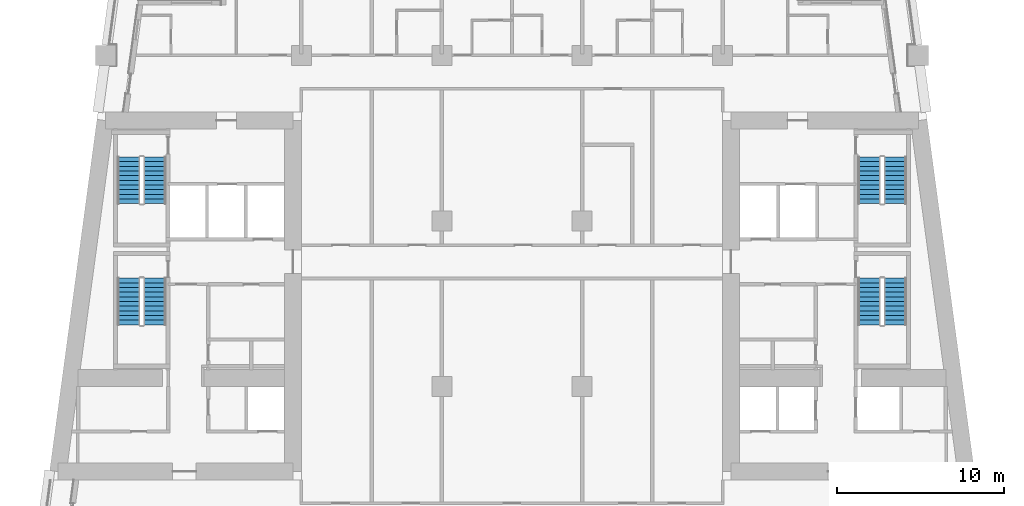
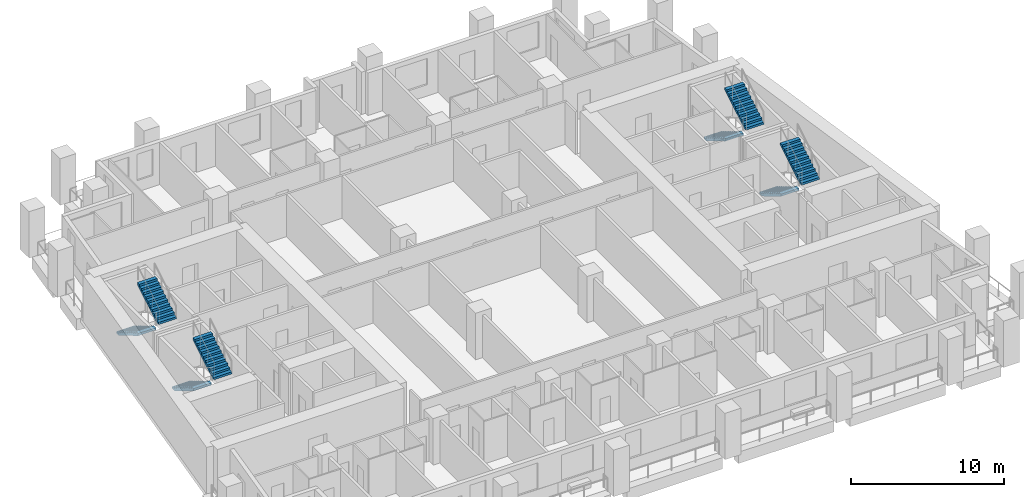
# One storey, part 9 of 14: 8 stair flights, 4 elements without a shape of their own.
"""IFC4 building model written with IfcOpenShell, lengths in metres."""

from ifc_helpers import new_model, si_unit, direction, frame, origin, place, context, subcontext, project, spatial, polyline, outline, extrude, material, type_object, element, aggregate, save


model = new_model("IFC4")

# Units and contexts
model_context = context("Model", 3, precision=1e-05, world=origin(), true_north=direction((0.0, 1.0)))
body_context = subcontext(model_context, "Body", "Model", "MODEL_VIEW")
ifc_project = project(units=[si_unit("LENGTHUNIT", "METRE"), si_unit("AREAUNIT", "SQUARE_METRE"), si_unit("VOLUMEUNIT", "CUBIC_METRE"), si_unit("PLANEANGLEUNIT", "RADIAN"), si_unit("MASSUNIT", "GRAM", prefix="KILO")], contexts=[model_context])

# Site, building, storey
site_placement = place(None, origin())
site = spatial("IfcSite", under=ifc_project, at=site_placement, CompositionType="ELEMENT")
building_placement = place(site_placement, origin())
building = spatial("IfcBuilding", under=site, at=building_placement, Name="Candeia Pilgrim Tower and Theatre", CompositionType="ELEMENT")
storey_placement = place(building_placement, frame((0.0, 0.0, 116.89990234375)))
storey = spatial("IfcBuildingStorey", under=building, at=storey_placement, Name="L27", CompositionType="ELEMENT", Elevation=116.89990234375)

# Stair, stair flights
ifc_material = material(Name="Concrete C40/50", Category="concrete")
stair_type = type_object("IfcStairType", Name="ST-TWR dog-leg escape stair", PredefinedType="HALF_TURN_STAIR", material=ifc_material)
stair_1_placement = place(storey_placement, origin())
stair_1 = element("IfcStair", 1, at=stair_1_placement, inside=storey, type_object=stair_type, Name="L27 Escape stair ST1", PredefinedType="HALF_TURN_STAIR")
stair_flight_type = type_object("IfcStairFlightType", Name="SFL-RC stair flight", PredefinedType="STRAIGHT", material=ifc_material)
stair_flight_1_placement = place(storey_placement, frame((90.47705078125, 122.47509765625, 0.0), z_axis=(0.0, 0.0, 1.0), x_axis=(0.0, -1.0, 0.0)))
stair_flight_1 = element("IfcStairFlight", 2, at=stair_flight_1_placement, type_object=stair_flight_type, Name="ST1 flight 1", NumberOfRisers=11, NumberOfTreads=10, PredefinedType="STRAIGHT", RiserHeight=0.168181818, TreadLength=0.28, context=body_context, shape_type="SweptSolid", body=[
    extrude(outline(polyline([(0.0, 0.0), (0.0, 0.168212890625), (0.280029296875, 0.168212890625), (0.280029296875, 0.33642578125), (0.56005859375, 0.33642578125), (0.56005859375, 0.504638671875), (0.840087890625, 0.504638671875), (0.840087890625, 0.672607421875), (1.1201171875, 0.672607421875), (1.1201171875, 0.8408203125), (1.39990234375, 0.8408203125), (1.39990234375, 1.009033203125), (1.679931640625, 1.009033203125), (1.679931640625, 1.17724609375), (1.9599609375, 1.17724609375), (1.9599609375, 1.345458984375), (2.239990234375, 1.345458984375), (2.239990234375, 1.513671875), (2.52001953125, 1.513671875), (2.52001953125, 1.681884765625), (2.800048828125, 1.681884765625), (2.800048828125, 1.85009765625), (2.800048828125, 1.5068359375), (0.291015625, 0.0), (0.0, 0.0)])), frame((0.0, 0.675048828125, 0.0), z_axis=(0.0, -1.0, 0.0), x_axis=(1.0, 0.0, 0.0)), (0.0, 0.0, 1.0), 1.35009765625),
])
stair_flight_2_placement = place(storey_placement, frame((92.027099609375, 119.675048828125, 1.85009765625), z_axis=(0.0, 0.0, 1.0), x_axis=(0.0, 1.0, 0.0)))
stair_flight_2 = element("IfcStairFlight", 3, at=stair_flight_2_placement, type_object=stair_flight_type, Name="ST1 flight 2", NumberOfRisers=11, NumberOfTreads=10, PredefinedType="STRAIGHT", RiserHeight=0.168181818, TreadLength=0.28, context=body_context, shape_type="SweptSolid", body=[
    extrude(outline(polyline([(0.0, 0.0), (0.0, 0.168212890625), (0.280029296875, 0.168212890625), (0.280029296875, 0.33642578125), (0.56005859375, 0.33642578125), (0.56005859375, 0.504638671875), (0.840087890625, 0.504638671875), (0.840087890625, 0.672607421875), (1.1201171875, 0.672607421875), (1.1201171875, 0.8408203125), (1.39990234375, 0.8408203125), (1.39990234375, 1.009033203125), (1.679931640625, 1.009033203125), (1.679931640625, 1.17724609375), (1.9599609375, 1.17724609375), (1.9599609375, 1.345458984375), (2.239990234375, 1.345458984375), (2.239990234375, 1.513671875), (2.52001953125, 1.513671875), (2.52001953125, 1.681884765625), (2.800048828125, 1.681884765625), (2.800048828125, 1.85009765625), (2.800048828125, 1.5068359375), (0.291015625, 0.0), (0.0, 0.0)])), frame((0.0, 0.675048828125, 0.0), z_axis=(0.0, -1.0, 0.0), x_axis=(1.0, 0.0, 0.0)), (0.0, 0.0, 1.0), 1.35009765625),
])
aggregate(stair_1, [stair_flight_1, stair_flight_2])

stair_2_placement = place(storey_placement, origin())
stair_2 = element("IfcStair", 4, at=stair_2_placement, inside=storey, type_object=stair_type, Name="L27 Escape stair ST2", PredefinedType="HALF_TURN_STAIR")
stair_flight_3_placement = place(storey_placement, frame((90.47705078125, 129.72509765625, 0.0), z_axis=(0.0, 0.0, 1.0), x_axis=(0.0, -1.0, 0.0)))
stair_flight_3 = element("IfcStairFlight", 5, at=stair_flight_3_placement, type_object=stair_flight_type, Name="ST2 flight 1", NumberOfRisers=11, NumberOfTreads=10, PredefinedType="STRAIGHT", RiserHeight=0.168181818, TreadLength=0.28, context=body_context, shape_type="SweptSolid", body=[
    extrude(outline(polyline([(0.0, 0.0), (0.0, 0.168212890625), (0.280029296875, 0.168212890625), (0.280029296875, 0.33642578125), (0.56005859375, 0.33642578125), (0.56005859375, 0.504638671875), (0.840087890625, 0.504638671875), (0.840087890625, 0.672607421875), (1.1201171875, 0.672607421875), (1.1201171875, 0.8408203125), (1.39990234375, 0.8408203125), (1.39990234375, 1.009033203125), (1.679931640625, 1.009033203125), (1.679931640625, 1.17724609375), (1.9599609375, 1.17724609375), (1.9599609375, 1.345458984375), (2.239990234375, 1.345458984375), (2.239990234375, 1.513671875), (2.52001953125, 1.513671875), (2.52001953125, 1.681884765625), (2.800048828125, 1.681884765625), (2.800048828125, 1.85009765625), (2.800048828125, 1.5068359375), (0.291015625, 0.0), (0.0, 0.0)])), frame((0.0, 0.675048828125, 0.0), z_axis=(0.0, -1.0, 0.0), x_axis=(1.0, 0.0, 0.0)), (0.0, 0.0, 1.0), 1.35009765625),
])
stair_flight_4_placement = place(storey_placement, frame((92.027099609375, 126.925048828125, 1.85009765625), z_axis=(0.0, 0.0, 1.0), x_axis=(0.0, 1.0, 0.0)))
stair_flight_4 = element("IfcStairFlight", 6, at=stair_flight_4_placement, type_object=stair_flight_type, Name="ST2 flight 2", NumberOfRisers=11, NumberOfTreads=10, PredefinedType="STRAIGHT", RiserHeight=0.168181818, TreadLength=0.28, context=body_context, shape_type="SweptSolid", body=[
    extrude(outline(polyline([(0.0, 0.0), (0.0, 0.168212890625), (0.280029296875, 0.168212890625), (0.280029296875, 0.33642578125), (0.56005859375, 0.33642578125), (0.56005859375, 0.504638671875), (0.840087890625, 0.504638671875), (0.840087890625, 0.672607421875), (1.1201171875, 0.672607421875), (1.1201171875, 0.8408203125), (1.39990234375, 0.8408203125), (1.39990234375, 1.009033203125), (1.679931640625, 1.009033203125), (1.679931640625, 1.17724609375), (1.9599609375, 1.17724609375), (1.9599609375, 1.345458984375), (2.239990234375, 1.345458984375), (2.239990234375, 1.513671875), (2.52001953125, 1.513671875), (2.52001953125, 1.681884765625), (2.800048828125, 1.681884765625), (2.800048828125, 1.85009765625), (2.800048828125, 1.5068359375), (0.291015625, 0.0), (0.0, 0.0)])), frame((0.0, 0.675048828125, 0.0), z_axis=(0.0, -1.0, 0.0), x_axis=(1.0, 0.0, 0.0)), (0.0, 0.0, 1.0), 1.35009765625),
])
aggregate(stair_2, [stair_flight_3, stair_flight_4])

stair_3_placement = place(storey_placement, origin())
stair_3 = element("IfcStair", 7, at=stair_3_placement, inside=storey, type_object=stair_type, Name="L27 Escape stair ST3", PredefinedType="HALF_TURN_STAIR")
stair_flight_5_placement = place(storey_placement, frame((134.77294921875, 122.47509765625, 0.0), z_axis=(0.0, 0.0, 1.0), x_axis=(0.0, -1.0, 0.0)))
stair_flight_5 = element("IfcStairFlight", 8, at=stair_flight_5_placement, type_object=stair_flight_type, Name="ST3 flight 1", NumberOfRisers=11, NumberOfTreads=10, PredefinedType="STRAIGHT", RiserHeight=0.168181818, TreadLength=0.28, context=body_context, shape_type="SweptSolid", body=[
    extrude(outline(polyline([(0.0, 0.0), (0.0, 0.168212890625), (0.280029296875, 0.168212890625), (0.280029296875, 0.33642578125), (0.56005859375, 0.33642578125), (0.56005859375, 0.504638671875), (0.840087890625, 0.504638671875), (0.840087890625, 0.672607421875), (1.1201171875, 0.672607421875), (1.1201171875, 0.8408203125), (1.39990234375, 0.8408203125), (1.39990234375, 1.009033203125), (1.679931640625, 1.009033203125), (1.679931640625, 1.17724609375), (1.9599609375, 1.17724609375), (1.9599609375, 1.345458984375), (2.239990234375, 1.345458984375), (2.239990234375, 1.513671875), (2.52001953125, 1.513671875), (2.52001953125, 1.681884765625), (2.800048828125, 1.681884765625), (2.800048828125, 1.85009765625), (2.800048828125, 1.5068359375), (0.291015625, 0.0), (0.0, 0.0)])), frame((0.0, 0.675048828125, 0.0), z_axis=(0.0, -1.0, 0.0), x_axis=(1.0, 0.0, 0.0)), (0.0, 0.0, 1.0), 1.35009765625),
])
stair_flight_6_placement = place(storey_placement, frame((136.322998046875, 119.675048828125, 1.85009765625), z_axis=(0.0, 0.0, 1.0), x_axis=(0.0, 1.0, 0.0)))
stair_flight_6 = element("IfcStairFlight", 9, at=stair_flight_6_placement, type_object=stair_flight_type, Name="ST3 flight 2", NumberOfRisers=11, NumberOfTreads=10, PredefinedType="STRAIGHT", RiserHeight=0.168181818, TreadLength=0.28, context=body_context, shape_type="SweptSolid", body=[
    extrude(outline(polyline([(0.0, 0.0), (0.0, 0.168212890625), (0.280029296875, 0.168212890625), (0.280029296875, 0.33642578125), (0.56005859375, 0.33642578125), (0.56005859375, 0.504638671875), (0.840087890625, 0.504638671875), (0.840087890625, 0.672607421875), (1.1201171875, 0.672607421875), (1.1201171875, 0.8408203125), (1.39990234375, 0.8408203125), (1.39990234375, 1.009033203125), (1.679931640625, 1.009033203125), (1.679931640625, 1.17724609375), (1.9599609375, 1.17724609375), (1.9599609375, 1.345458984375), (2.239990234375, 1.345458984375), (2.239990234375, 1.513671875), (2.52001953125, 1.513671875), (2.52001953125, 1.681884765625), (2.800048828125, 1.681884765625), (2.800048828125, 1.85009765625), (2.800048828125, 1.5068359375), (0.291015625, 0.0), (0.0, 0.0)])), frame((0.0, 0.675048828125, 0.0), z_axis=(0.0, -1.0, 0.0), x_axis=(1.0, 0.0, 0.0)), (0.0, 0.0, 1.0), 1.35009765625),
])
aggregate(stair_3, [stair_flight_5, stair_flight_6])

stair_4_placement = place(storey_placement, origin())
stair_4 = element("IfcStair", 10, at=stair_4_placement, inside=storey, type_object=stair_type, Name="L27 Escape stair ST4", PredefinedType="HALF_TURN_STAIR")
stair_flight_7_placement = place(storey_placement, frame((134.77294921875, 129.72509765625, 0.0), z_axis=(0.0, 0.0, 1.0), x_axis=(0.0, -1.0, 0.0)))
stair_flight_7 = element("IfcStairFlight", 11, at=stair_flight_7_placement, type_object=stair_flight_type, Name="ST4 flight 1", NumberOfRisers=11, NumberOfTreads=10, PredefinedType="STRAIGHT", RiserHeight=0.168181818, TreadLength=0.28, context=body_context, shape_type="SweptSolid", body=[
    extrude(outline(polyline([(0.0, 0.0), (0.0, 0.168212890625), (0.280029296875, 0.168212890625), (0.280029296875, 0.33642578125), (0.56005859375, 0.33642578125), (0.56005859375, 0.504638671875), (0.840087890625, 0.504638671875), (0.840087890625, 0.672607421875), (1.1201171875, 0.672607421875), (1.1201171875, 0.8408203125), (1.39990234375, 0.8408203125), (1.39990234375, 1.009033203125), (1.679931640625, 1.009033203125), (1.679931640625, 1.17724609375), (1.9599609375, 1.17724609375), (1.9599609375, 1.345458984375), (2.239990234375, 1.345458984375), (2.239990234375, 1.513671875), (2.52001953125, 1.513671875), (2.52001953125, 1.681884765625), (2.800048828125, 1.681884765625), (2.800048828125, 1.85009765625), (2.800048828125, 1.5068359375), (0.291015625, 0.0), (0.0, 0.0)])), frame((0.0, 0.675048828125, 0.0), z_axis=(0.0, -1.0, 0.0), x_axis=(1.0, 0.0, 0.0)), (0.0, 0.0, 1.0), 1.35009765625),
])
stair_flight_8_placement = place(storey_placement, frame((136.322998046875, 126.925048828125, 1.85009765625), z_axis=(0.0, 0.0, 1.0), x_axis=(0.0, 1.0, 0.0)))
stair_flight_8 = element("IfcStairFlight", 12, at=stair_flight_8_placement, type_object=stair_flight_type, Name="ST4 flight 2", NumberOfRisers=11, NumberOfTreads=10, PredefinedType="STRAIGHT", RiserHeight=0.168181818, TreadLength=0.28, context=body_context, shape_type="SweptSolid", body=[
    extrude(outline(polyline([(0.0, 0.0), (0.0, 0.168212890625), (0.280029296875, 0.168212890625), (0.280029296875, 0.33642578125), (0.56005859375, 0.33642578125), (0.56005859375, 0.504638671875), (0.840087890625, 0.504638671875), (0.840087890625, 0.672607421875), (1.1201171875, 0.672607421875), (1.1201171875, 0.8408203125), (1.39990234375, 0.8408203125), (1.39990234375, 1.009033203125), (1.679931640625, 1.009033203125), (1.679931640625, 1.17724609375), (1.9599609375, 1.17724609375), (1.9599609375, 1.345458984375), (2.239990234375, 1.345458984375), (2.239990234375, 1.513671875), (2.52001953125, 1.513671875), (2.52001953125, 1.681884765625), (2.800048828125, 1.681884765625), (2.800048828125, 1.85009765625), (2.800048828125, 1.5068359375), (0.291015625, 0.0), (0.0, 0.0)])), frame((0.0, 0.675048828125, 0.0), z_axis=(0.0, -1.0, 0.0), x_axis=(1.0, 0.0, 0.0)), (0.0, 0.0, 1.0), 1.35009765625),
])
aggregate(stair_4, [stair_flight_7, stair_flight_8])

save(model, "model.ifc")
